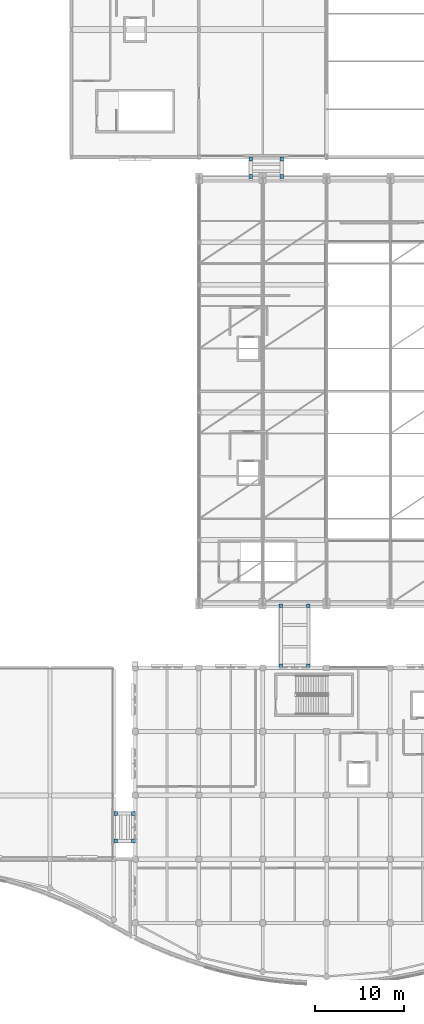
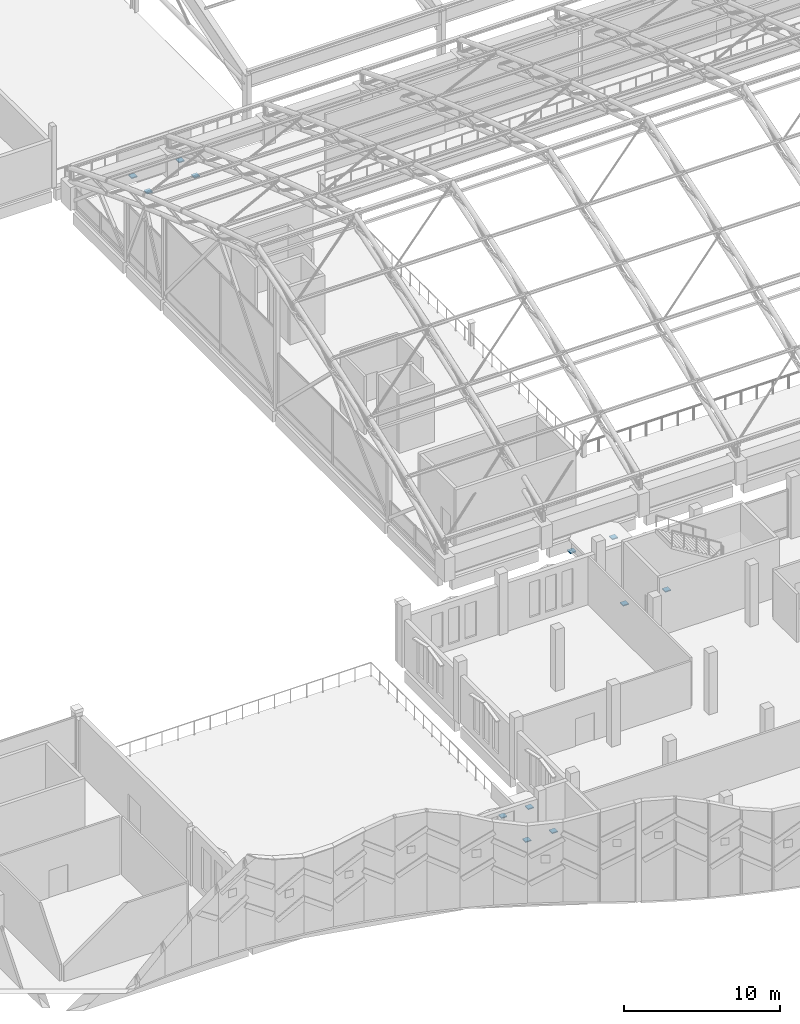
# One storey, part 99 of 116: 12 discrete accessories.
"""IFC4 building model written with IfcOpenShell, lengths in metres."""

from ifc_helpers import new_model, si_unit, direction, frame, origin, origin_2d, place, context, subcontext, project, spatial, rectangle, extrude, material, type_object, element, save


model = new_model("IFC4")

# Units and contexts
model_context = context("Model", 3, precision=1e-05, world=origin(), true_north=direction((0.0, 1.0)))
body_context = subcontext(model_context, "Body", "Model", "MODEL_VIEW")
ifc_project = project(units=[si_unit("LENGTHUNIT", "METRE"), si_unit("AREAUNIT", "SQUARE_METRE"), si_unit("VOLUMEUNIT", "CUBIC_METRE"), si_unit("PLANEANGLEUNIT", "RADIAN"), si_unit("MASSUNIT", "GRAM", prefix="KILO")], contexts=[model_context])

# Site, building, storey
site_placement = place(None, origin())
site = spatial("IfcSite", under=ifc_project, at=site_placement, CompositionType="ELEMENT")
building_placement = place(site_placement, origin())
building = spatial("IfcBuilding", under=site, at=building_placement, Name="Cendralis Lancet Convention Centre", CompositionType="ELEMENT")
storey_placement = place(building_placement, frame((0.0, 0.0, 15.0)))
storey = spatial("IfcBuildingStorey", under=building, at=storey_placement, Name="L03", CompositionType="ELEMENT", Elevation=15.0)

# Discrete accessories
ifc_material = material(Name="Elastomeric-PTFE sliding bridge bearing")
discrete_accessory_type = type_object("IfcDiscreteAccessoryType", Name="STR-BRG-PTFE", PredefinedType="SHOE", material=ifc_material)
for number, where, z_axis, x_axis, name in (
    (1, (145.050048828125, 91.409912109375, -1.179931640625), (0.0, 0.0, 1.0), (1.0, 0.0, 0.0), "Unguided PTFE Sliding Bridge Bearing SB-PTFE #025"),
    (2, (145.050048828125, 93.389892578125, -1.179931640625), (0.0, 0.0, 1.0), (1.0, 0.0, 0.0), "Unguided PTFE Sliding Bridge Bearing SB-PTFE #026"),
    (3, (148.550048828125, 91.409912109375, -1.179931640625), (0.0, 0.0, 1.0), (1.0, 0.0, 0.0), "Unguided PTFE Sliding Bridge Bearing SB-PTFE #027"),
    (4, (148.550048828125, 93.389892578125, -1.179931640625), (0.0, 0.0, 1.0), (1.0, 0.0, 0.0), "Unguided PTFE Sliding Bridge Bearing SB-PTFE #028"),
    (5, (129.81005859375, 16.449951171875, -1.179931640625), (0.0, 0.0, 1.0), (1.0, 0.0, 0.0), "Unguided PTFE Sliding Bridge Bearing SB-PTFE #041"),
    (6, (131.7900390625, 16.449951171875, -1.179931640625), (0.0, 0.0, 1.0), (1.0, 0.0, 0.0), "Unguided PTFE Sliding Bridge Bearing SB-PTFE #042"),
    (7, (129.81005859375, 19.550048828125, -1.179931640625), (0.0, 0.0, 1.0), (1.0, 0.0, 0.0), "Unguided PTFE Sliding Bridge Bearing SB-PTFE #043"),
    (8, (131.7900390625, 19.550048828125, -1.179931640625), (0.0, 0.0, 1.0), (1.0, 0.0, 0.0), "Unguided PTFE Sliding Bridge Bearing SB-PTFE #044"),
    (9, (148.449951171875, 36.2099609375, -1.179931640625), (0.0, 0.0, 1.0), (1.0, 0.0, 0.0), "Unguided PTFE Sliding Bridge Bearing SB-PTFE #069"),
    (10, (148.449951171875, 42.989990234375, -1.179931640625), (0.0, 0.0, 1.0), (1.0, 0.0, 0.0), "Unguided PTFE Sliding Bridge Bearing SB-PTFE #070"),
    (11, (151.550048828125, 36.2099609375, -1.179931640625), (0.0, 0.0, 1.0), (1.0, 0.0, 0.0), "Unguided PTFE Sliding Bridge Bearing SB-PTFE #071"),
    (12, (151.550048828125, 42.989990234375, -1.179931640625), (0.0, 0.0, 1.0), (1.0, 0.0, 0.0), "Unguided PTFE Sliding Bridge Bearing SB-PTFE #072"),
):
    element("IfcDiscreteAccessory", number, at=place(storey_placement, frame(where, z_axis=z_axis, x_axis=x_axis)), inside=storey, type_object=discrete_accessory_type, Name=name, PredefinedType="SHOE", context=body_context, shape_type="SweptSolid", body=[
        extrude(rectangle(XDim=0.419921875, YDim=0.419921875, at=origin_2d()), origin(), (0.0, 0.0, 1.0), 0.080078125),
    ])

save(model, "model.ifc")
